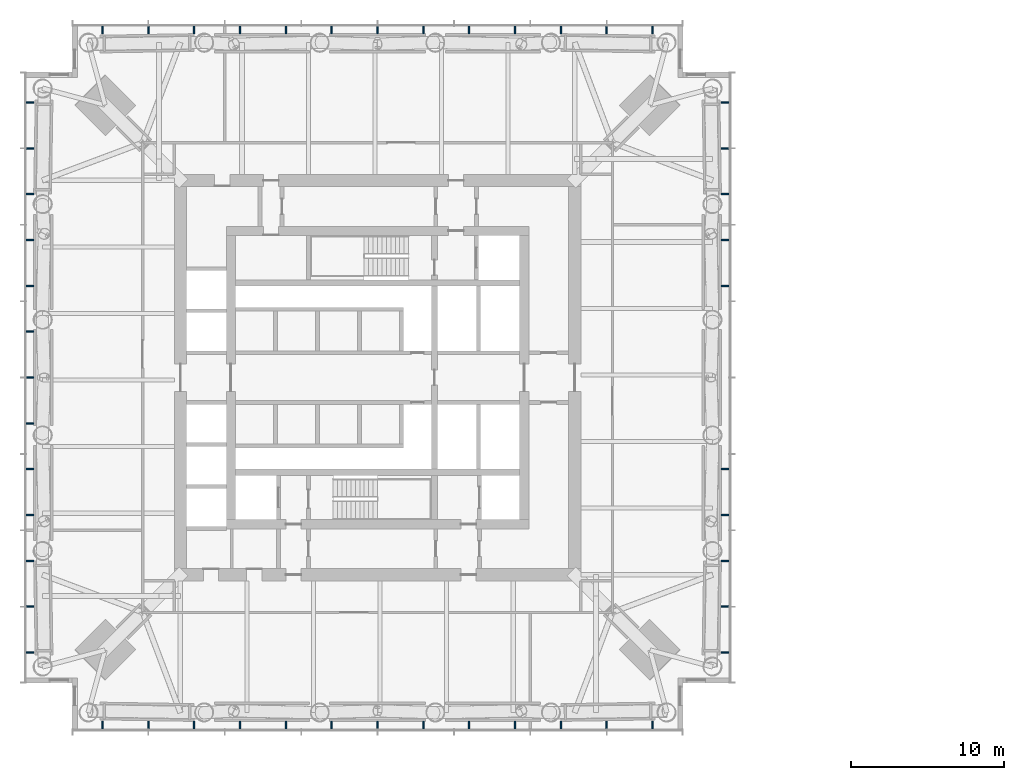
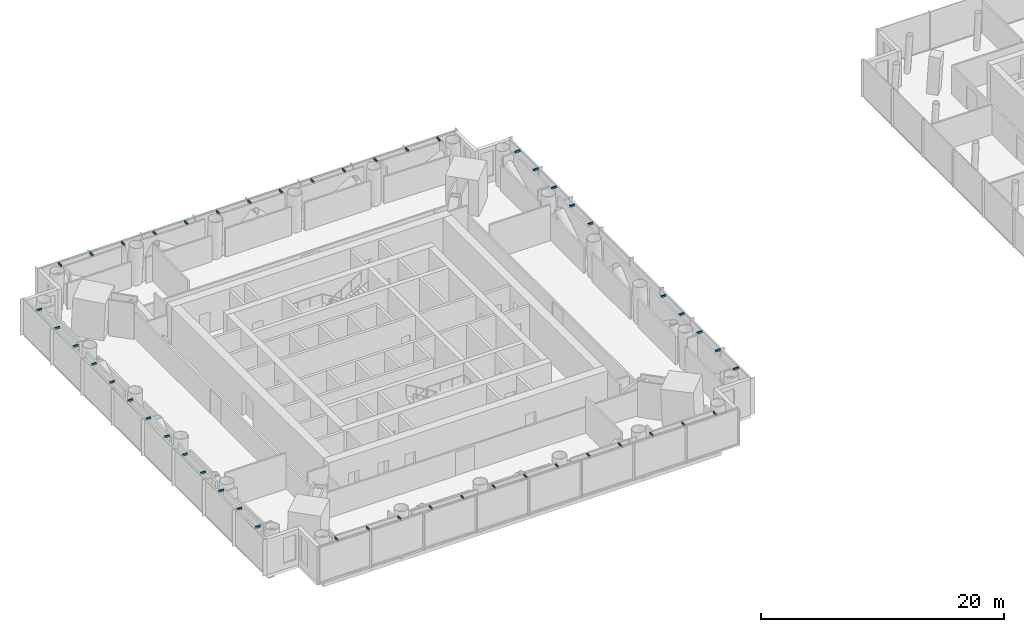
# One storey, part 17 of 18: 49 discrete accessories.
"""IFC4 building model written with IfcOpenShell, lengths in metres."""

from ifc_helpers import new_model, si_unit, direction, frame, origin, origin_2d, place, context, subcontext, project, spatial, rectangle, extrude, material, type_object, element, save


model = new_model("IFC4")

# Units and contexts
model_context = context("Model", 3, precision=1e-05, world=origin(), true_north=direction((0.0, 1.0)))
body_context = subcontext(model_context, "Body", "Model", "MODEL_VIEW")
ifc_project = project(units=[si_unit("LENGTHUNIT", "METRE"), si_unit("AREAUNIT", "SQUARE_METRE"), si_unit("VOLUMEUNIT", "CUBIC_METRE"), si_unit("PLANEANGLEUNIT", "RADIAN"), si_unit("MASSUNIT", "GRAM", prefix="KILO")], contexts=[model_context])

# Site, building, storey
site_placement = place(None, origin())
site = spatial("IfcSite", under=ifc_project, at=site_placement, CompositionType="ELEMENT")
building_placement = place(site_placement, origin())
building = spatial("IfcBuilding", under=site, at=building_placement, Name="Ostroluk Exchange", CompositionType="ELEMENT")
storey_placement = place(building_placement, frame((0.0, 0.0, 85.60009765625)))
storey = spatial("IfcBuildingStorey", under=building, at=storey_placement, Name="L21", CompositionType="ELEMENT", Elevation=85.60009765625)

# Discrete accessories
ifc_material = material(Name="Steel S355", Category="steel")
discrete_accessory_type = type_object("IfcDiscreteAccessoryType", Name="Maintenance roof bracket", PredefinedType="BRACKET", material=ifc_material)
for number, where, z_axis, x_axis, name in (
    (1, (27.0, 23.25, 3.44970703125), (0.0, 0.0, 1.0), (1.0, 0.0, 0.0), "Maintenance roof bracket L22 south 1"),
    (2, (30.0, 23.25, 3.44970703125), (0.0, 0.0, 1.0), (1.0, 0.0, 0.0), "Maintenance roof bracket L22 south 2"),
    (3, (33.0, 23.25, 3.44970703125), (0.0, 0.0, 1.0), (1.0, 0.0, 0.0), "Maintenance roof bracket L22 south 3"),
    (4, (36.0, 23.25, 3.44970703125), (0.0, 0.0, 1.0), (1.0, 0.0, 0.0), "Maintenance roof bracket L22 south 4"),
    (5, (39.0, 23.25, 3.44970703125), (0.0, 0.0, 1.0), (1.0, 0.0, 0.0), "Maintenance roof bracket L22 south 5"),
    (6, (42.0, 23.25, 3.44970703125), (0.0, 0.0, 1.0), (1.0, 0.0, 0.0), "Maintenance roof bracket L22 south 6"),
    (7, (45.0, 23.25, 3.44970703125), (0.0, 0.0, 1.0), (1.0, 0.0, 0.0), "Maintenance roof bracket L22 south 7"),
    (8, (48.0, 23.25, 3.44970703125), (0.0, 0.0, 1.0), (1.0, 0.0, 0.0), "Maintenance roof bracket L22 south 8"),
    (9, (51.0, 23.25, 3.44970703125), (0.0, 0.0, 1.0), (1.0, 0.0, 0.0), "Maintenance roof bracket L22 south 9"),
    (10, (54.0, 23.25, 3.44970703125), (0.0, 0.0, 1.0), (1.0, 0.0, 0.0), "Maintenance roof bracket L22 south 10"),
    (11, (57.0, 23.25, 3.44970703125), (0.0, 0.0, 1.0), (1.0, 0.0, 0.0), "Maintenance roof bracket L22 south 11"),
    (12, (60.0, 23.25, 3.44970703125), (0.0, 0.0, 1.0), (1.0, 0.0, 0.0), "Maintenance roof bracket L22 south 12"),
    (13, (63.0, 23.25, 3.44970703125), (0.0, 0.0, 1.0), (1.0, 0.0, 0.0), "Maintenance roof bracket L22 south 13"),
):
    element("IfcDiscreteAccessory", number, at=place(storey_placement, frame(where, z_axis=z_axis, x_axis=x_axis)), inside=storey, type_object=discrete_accessory_type, Name=name, PredefinedType="BRACKET", context=body_context, shape_type="SweptSolid", body=[
        extrude(rectangle(XDim=0.10009765625, YDim=0.5, at=origin_2d()), origin(), (0.0, 0.0, 1.0), 0.199951171875),
    ])
for number, where, z_axis, x_axis, name in (
    (14, (67.75, 28.0, 3.44970703125), (0.0, 0.0, 1.0), (1.0, 0.0, 0.0), "Maintenance roof bracket L22 east 1"),
    (15, (67.75, 31.0, 3.44970703125), (0.0, 0.0, 1.0), (1.0, 0.0, 0.0), "Maintenance roof bracket L22 east 2"),
    (16, (67.75, 34.0, 3.44970703125), (0.0, 0.0, 1.0), (1.0, 0.0, 0.0), "Maintenance roof bracket L22 east 3"),
    (17, (67.75, 37.0, 3.44970703125), (0.0, 0.0, 1.0), (1.0, 0.0, 0.0), "Maintenance roof bracket L22 east 4"),
    (18, (67.75, 40.0, 3.44970703125), (0.0, 0.0, 1.0), (1.0, 0.0, 0.0), "Maintenance roof bracket L22 east 5"),
    (19, (67.75, 52.0, 3.44970703125), (0.0, 0.0, 1.0), (1.0, 0.0, 0.0), "Maintenance roof bracket L22 east 9"),
    (20, (67.75, 55.0, 3.44970703125), (0.0, 0.0, 1.0), (1.0, 0.0, 0.0), "Maintenance roof bracket L22 east 10"),
    (21, (67.75, 58.0, 3.44970703125), (0.0, 0.0, 1.0), (1.0, 0.0, 0.0), "Maintenance roof bracket L22 east 11"),
    (22, (67.75, 61.0, 3.44970703125), (0.0, 0.0, 1.0), (1.0, 0.0, 0.0), "Maintenance roof bracket L22 east 12"),
    (23, (67.75, 64.0, 3.44970703125), (0.0, 0.0, 1.0), (1.0, 0.0, 0.0), "Maintenance roof bracket L22 east 13"),
):
    element("IfcDiscreteAccessory", number, at=place(storey_placement, frame(where, z_axis=z_axis, x_axis=x_axis)), inside=storey, type_object=discrete_accessory_type, Name=name, PredefinedType="BRACKET", context=body_context, shape_type="SweptSolid", body=[
        extrude(rectangle(XDim=0.5, YDim=0.10009765625, at=origin_2d()), origin(), (0.0, 0.0, 1.0), 0.199951171875),
    ])
for number, where, z_axis, x_axis, name in (
    (24, (27.0, 68.75, 3.44970703125), (0.0, 0.0, 1.0), (1.0, 0.0, 0.0), "Maintenance roof bracket L22 north 1"),
    (25, (30.0, 68.75, 3.44970703125), (0.0, 0.0, 1.0), (1.0, 0.0, 0.0), "Maintenance roof bracket L22 north 2"),
    (26, (33.0, 68.75, 3.44970703125), (0.0, 0.0, 1.0), (1.0, 0.0, 0.0), "Maintenance roof bracket L22 north 3"),
    (27, (36.0, 68.75, 3.44970703125), (0.0, 0.0, 1.0), (1.0, 0.0, 0.0), "Maintenance roof bracket L22 north 4"),
    (28, (39.0, 68.75, 3.44970703125), (0.0, 0.0, 1.0), (1.0, 0.0, 0.0), "Maintenance roof bracket L22 north 5"),
    (29, (42.0, 68.75, 3.44970703125), (0.0, 0.0, 1.0), (1.0, 0.0, 0.0), "Maintenance roof bracket L22 north 6"),
    (30, (45.0, 68.75, 3.44970703125), (0.0, 0.0, 1.0), (1.0, 0.0, 0.0), "Maintenance roof bracket L22 north 7"),
    (31, (48.0, 68.75, 3.44970703125), (0.0, 0.0, 1.0), (1.0, 0.0, 0.0), "Maintenance roof bracket L22 north 8"),
    (32, (51.0, 68.75, 3.44970703125), (0.0, 0.0, 1.0), (1.0, 0.0, 0.0), "Maintenance roof bracket L22 north 9"),
    (33, (54.0, 68.75, 3.44970703125), (0.0, 0.0, 1.0), (1.0, 0.0, 0.0), "Maintenance roof bracket L22 north 10"),
    (34, (57.0, 68.75, 3.44970703125), (0.0, 0.0, 1.0), (1.0, 0.0, 0.0), "Maintenance roof bracket L22 north 11"),
    (35, (60.0, 68.75, 3.44970703125), (0.0, 0.0, 1.0), (1.0, 0.0, 0.0), "Maintenance roof bracket L22 north 12"),
    (36, (63.0, 68.75, 3.44970703125), (0.0, 0.0, 1.0), (1.0, 0.0, 0.0), "Maintenance roof bracket L22 north 13"),
):
    element("IfcDiscreteAccessory", number, at=place(storey_placement, frame(where, z_axis=z_axis, x_axis=x_axis)), inside=storey, type_object=discrete_accessory_type, Name=name, PredefinedType="BRACKET", context=body_context, shape_type="SweptSolid", body=[
        extrude(rectangle(XDim=0.10009765625, YDim=0.5, at=origin_2d()), origin(), (0.0, 0.0, 1.0), 0.199951171875),
    ])
for number, where, z_axis, x_axis, name in (
    (37, (22.25, 28.0, 3.44970703125), (0.0, 0.0, 1.0), (1.0, 0.0, 0.0), "Maintenance roof bracket L22 west 1"),
    (38, (22.25, 31.0, 3.44970703125), (0.0, 0.0, 1.0), (1.0, 0.0, 0.0), "Maintenance roof bracket L22 west 2"),
    (39, (22.25, 34.0, 3.44970703125), (0.0, 0.0, 1.0), (1.0, 0.0, 0.0), "Maintenance roof bracket L22 west 3"),
    (40, (22.25, 37.0, 3.44970703125), (0.0, 0.0, 1.0), (1.0, 0.0, 0.0), "Maintenance roof bracket L22 west 4"),
    (41, (22.25, 40.0, 3.44970703125), (0.0, 0.0, 1.0), (1.0, 0.0, 0.0), "Maintenance roof bracket L22 west 5"),
    (42, (22.25, 43.0, 3.44970703125), (0.0, 0.0, 1.0), (1.0, 0.0, 0.0), "Maintenance roof bracket L22 west 6"),
    (43, (22.25, 46.0, 3.44970703125), (0.0, 0.0, 1.0), (1.0, 0.0, 0.0), "Maintenance roof bracket L22 west 7"),
    (44, (22.25, 49.0, 3.44970703125), (0.0, 0.0, 1.0), (1.0, 0.0, 0.0), "Maintenance roof bracket L22 west 8"),
    (45, (22.25, 52.0, 3.44970703125), (0.0, 0.0, 1.0), (1.0, 0.0, 0.0), "Maintenance roof bracket L22 west 9"),
    (46, (22.25, 55.0, 3.44970703125), (0.0, 0.0, 1.0), (1.0, 0.0, 0.0), "Maintenance roof bracket L22 west 10"),
    (47, (22.25, 58.0, 3.44970703125), (0.0, 0.0, 1.0), (1.0, 0.0, 0.0), "Maintenance roof bracket L22 west 11"),
    (48, (22.25, 61.0, 3.44970703125), (0.0, 0.0, 1.0), (1.0, 0.0, 0.0), "Maintenance roof bracket L22 west 12"),
    (49, (22.25, 64.0, 3.44970703125), (0.0, 0.0, 1.0), (1.0, 0.0, 0.0), "Maintenance roof bracket L22 west 13"),
):
    element("IfcDiscreteAccessory", number, at=place(storey_placement, frame(where, z_axis=z_axis, x_axis=x_axis)), inside=storey, type_object=discrete_accessory_type, Name=name, PredefinedType="BRACKET", context=body_context, shape_type="SweptSolid", body=[
        extrude(rectangle(XDim=0.5, YDim=0.10009765625, at=origin_2d()), origin(), (0.0, 0.0, 1.0), 0.199951171875),
    ])

save(model, "model.ifc")
